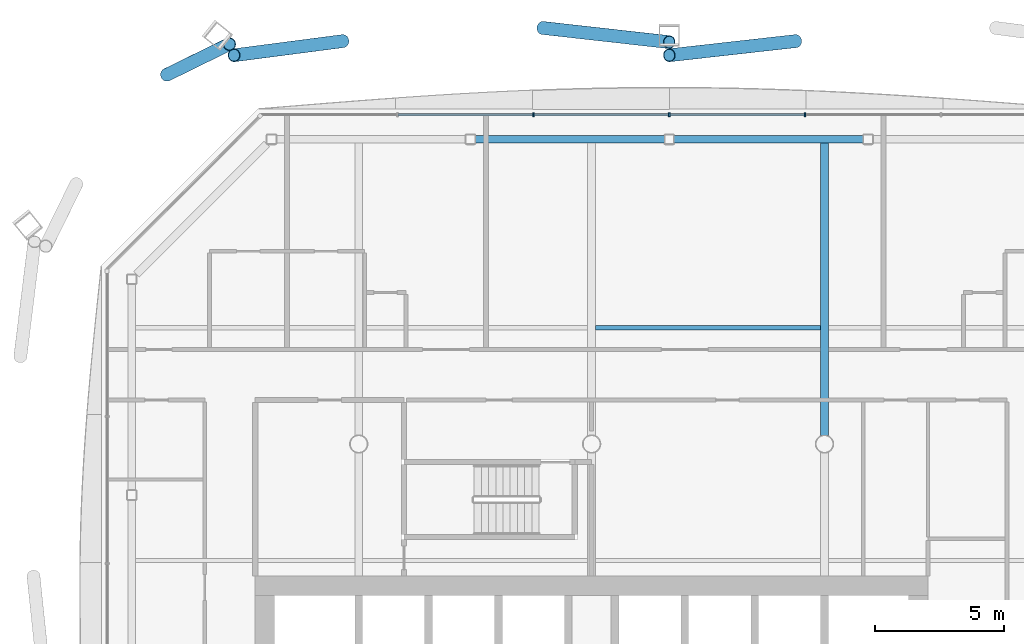
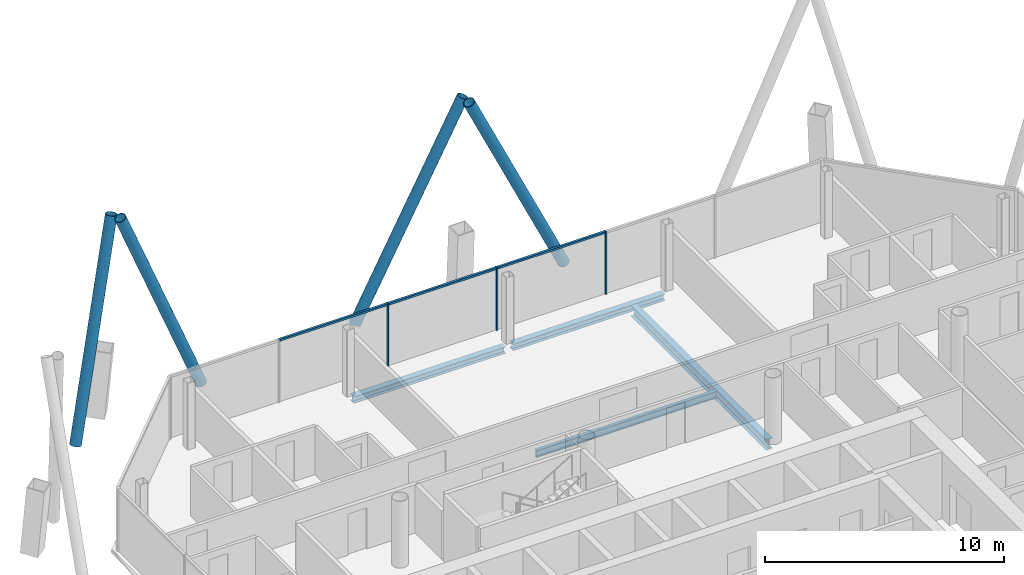
# One storey, part 11 of 20: 10 members, 4 beams, 1 element without a shape of its own.
"""IFC4 building model written with IfcOpenShell, lengths in metres."""

from ifc_helpers import new_model, si_unit, direction, frame, origin, origin_2d, place, context, subcontext, project, spatial, rectangle, hollow_circle, i_section, extrude, material, material_profile, profile_set, type_object, element, aggregate, save


model = new_model("IFC4")

# Units and contexts
model_context = context("Model", 3, precision=1e-05, world=origin(), true_north=direction((0.0, 1.0)))
body_context = subcontext(model_context, "Body", "Model", "MODEL_VIEW")
ifc_project = project(units=[si_unit("LENGTHUNIT", "METRE"), si_unit("AREAUNIT", "SQUARE_METRE"), si_unit("VOLUMEUNIT", "CUBIC_METRE"), si_unit("PLANEANGLEUNIT", "RADIAN"), si_unit("MASSUNIT", "GRAM", prefix="KILO")], contexts=[model_context])

# Site, building, storey
site_placement = place(None, origin())
site = spatial("IfcSite", under=ifc_project, at=site_placement, CompositionType="ELEMENT")
building_placement = place(site_placement, origin())
building = spatial("IfcBuilding", under=site, at=building_placement, Name="Tskaro Facet Tower", CompositionType="ELEMENT")
storey_placement = place(building_placement, frame((0.0, 0.0, 152.10009765625)))
storey = spatial("IfcBuildingStorey", under=building, at=storey_placement, Name="L37", CompositionType="ELEMENT", Elevation=152.10009765625)

# Members
ifc_material_1 = material(Name="Steel S355J2H", Category="steel")
ifc_material_profile_1 = material_profile(ifc_material_1, hollow_circle(Radius=0.25390625, WallThickness=0.02490234375, at=origin_2d()), Name="CHS 508x25")
ifc_profile_set_1 = profile_set([ifc_material_profile_1], Name="Steel S355J2H")
member_type_1 = type_object("IfcMemberType", Name="CHS 508x25 brace", PredefinedType="BRACE", material=ifc_profile_set_1)
member_1_placement = place(storey_placement, frame((7.884521484375, 24.56982421875, 0.0), z_axis=(-0.431401762637, -0.048386342548, 0.900861410567), x_axis=(0.111461838164, -0.993768714859, 0.0)))
element("IfcMember", 1, at=member_1_placement, inside=storey, type_object=member_type_1, Name="CHS 508x25 XB07A/3", PredefinedType="BRACE", context=body_context, shape_type="SweptSolid", body=[
    extrude(hollow_circle(Radius=0.25390625, WallThickness=0.02490234375, at=origin_2d()), origin(), (0.0, 0.0, 1.0), 11.322509765625),
])
member_2_placement = place(storey_placement, frame((-9.6142578125, 24.56982421875, 0.0), z_axis=(-0.380656934074, -0.049596130759, 0.923385359617), x_axis=(0.129198883209, -0.991618701204, 0.0)))
element("IfcMember", 2, at=member_2_placement, inside=storey, type_object=member_type_1, Name="CHS 508x25 XB08A/3", PredefinedType="BRACE", context=body_context, shape_type="SweptSolid", body=[
    extrude(hollow_circle(Radius=0.25390625, WallThickness=0.02490234375, at=origin_2d()), origin(), (0.0, 0.0, 1.0), 11.046142578125),
])
member_3_placement = place(storey_placement, frame((-1.884521484375, 25.07763671875, 0.0), z_axis=(0.431402212633, -0.048364830456, 0.900862350257), x_axis=(0.111412783806, 0.993774215607, 0.0)))
element("IfcMember", 3, at=member_3_placement, inside=storey, type_object=member_type_1, Name="CHS 508x25 XB08B/3", PredefinedType="BRACE", context=body_context, shape_type="SweptSolid", body=[
    extrude(hollow_circle(Radius=0.25390625, WallThickness=0.02490234375, at=origin_2d()), origin(), (0.0, 0.0, 1.0), 11.322509765625),
])
member_4_placement = place(storey_placement, frame((-16.41064453125, 23.27099609375, 0.0), z_axis=(0.228679127936, 0.112302745825, 0.967002559317), x_axis=(-0.440806291115, 0.897602258082, 0.0)))
element("IfcMember", 4, at=member_4_placement, inside=storey, type_object=member_type_1, Name="CHS 508x25 XB09B/3", PredefinedType="BRACE", context=body_context, shape_type="SweptSolid", body=[
    extrude(hollow_circle(Radius=0.25390625, WallThickness=0.02490234375, at=origin_2d()), origin(), (0.0, 0.0, 1.0), 10.548095703125),
])

# Curtain wall, members
ifc_material_2 = material(Name="Bronze anodised aluminium 6063-T6", Category="aluminium")
curtain_wall_type = type_object("IfcCurtainWallType", Name="Bronze hotel curtain wall (FW2)", PredefinedType="NOTDEFINED", material=ifc_material_2)
curtain_wall_placement = place(storey_placement, origin())
curtain_wall = element("IfcCurtainWall", 5, at=curtain_wall_placement, inside=storey, type_object=curtain_wall_type, Name="FW2 north facet L37", PredefinedType="NOTDEFINED")
ifc_material_profile_2 = material_profile(ifc_material_2, rectangle(XDim=0.06005859375, YDim=0.14990234375, at=origin_2d()), Name="Mullion 60x150")
ifc_profile_set_2 = profile_set([ifc_material_profile_2], Name="Bronze anodised aluminium 6063-T6")
member_type_2 = type_object("IfcMemberType", Name="FW2 bronze mullion 60x150", PredefinedType="MULLION", material=ifc_profile_set_2)
member_5_placement = place(storey_placement, frame((8.253662109375, 21.72412109375, 0.0), z_axis=(0.0, 0.0, 1.0), x_axis=(-1.0, 0.0, 0.0)))
member_5 = element("IfcMember", 6, at=member_5_placement, type_object=member_type_2, Name="FW2 north mullion 2", PredefinedType="MULLION", context=body_context, shape_type="SweptSolid", body=[
    extrude(rectangle(XDim=0.06005859375, YDim=0.14990234375, at=origin_2d()), origin(), (0.0, 0.0, 1.0), 3.199951171875),
])
member_6_placement = place(storey_placement, frame((3.0, 21.72412109375, 0.0), z_axis=(0.0, 0.0, 1.0), x_axis=(-1.0, 0.0, 0.0)))
member_6 = element("IfcMember", 7, at=member_6_placement, type_object=member_type_2, Name="FW2 north mullion 3", PredefinedType="MULLION", context=body_context, shape_type="SweptSolid", body=[
    extrude(rectangle(XDim=0.06005859375, YDim=0.14990234375, at=origin_2d()), origin(), (0.0, 0.0, 1.0), 3.199951171875),
])
member_7_placement = place(storey_placement, frame((-2.253662109375, 21.72412109375, 0.0), z_axis=(0.0, 0.0, 1.0), x_axis=(-1.0, 0.0, 0.0)))
member_7 = element("IfcMember", 8, at=member_7_placement, type_object=member_type_2, Name="FW2 north mullion 4", PredefinedType="MULLION", context=body_context, shape_type="SweptSolid", body=[
    extrude(rectangle(XDim=0.06005859375, YDim=0.14990234375, at=origin_2d()), origin(), (0.0, 0.0, 1.0), 3.199951171875),
])
ifc_material_profile_3 = material_profile(ifc_material_2, rectangle(XDim=0.110107421875, YDim=0.10009765625, at=origin_2d()), Name="Transom 110x100")
ifc_profile_set_3 = profile_set([ifc_material_profile_3], Name="Bronze anodised aluminium 6063-T6")
member_type_3 = type_object("IfcMemberType", Name="FW2 bronze transom 110x100", PredefinedType="USERDEFINED", material=ifc_profile_set_3)
member_8_placement = place(storey_placement, frame((8.2236328125, 21.72412109375, 3.14990234375), z_axis=(-1.0, 0.0, 0.0), x_axis=(0.0, -1.0, 0.0)))
member_8 = element("IfcMember", 9, at=member_8_placement, type_object=member_type_3, Name="FW2 north transom 3.1", ObjectType="TRANSOM", PredefinedType="USERDEFINED", context=body_context, shape_type="SweptSolid", body=[
    extrude(rectangle(XDim=0.110107421875, YDim=0.10009765625, at=origin_2d()), origin(), (0.0, 0.0, 1.0), 5.193603515625),
])
member_9_placement = place(storey_placement, frame((2.969970703125, 21.72412109375, 3.14990234375), z_axis=(-1.0, 0.0, 0.0), x_axis=(0.0, -1.0, 0.0)))
member_9 = element("IfcMember", 10, at=member_9_placement, type_object=member_type_3, Name="FW2 north transom 4.1", ObjectType="TRANSOM", PredefinedType="USERDEFINED", context=body_context, shape_type="SweptSolid", body=[
    extrude(rectangle(XDim=0.110107421875, YDim=0.10009765625, at=origin_2d()), origin(), (0.0, 0.0, 1.0), 5.193603515625),
])
member_10_placement = place(storey_placement, frame((-2.28369140625, 21.72412109375, 3.14990234375), z_axis=(-1.0, 0.0, 0.0), x_axis=(0.0, -1.0, 0.0)))
member_10 = element("IfcMember", 11, at=member_10_placement, type_object=member_type_3, Name="FW2 north transom 5.1", ObjectType="TRANSOM", PredefinedType="USERDEFINED", context=body_context, shape_type="SweptSolid", body=[
    extrude(rectangle(XDim=0.110107421875, YDim=0.10009765625, at=origin_2d()), origin(), (0.0, 0.0, 1.0), 5.193603515625),
])
aggregate(curtain_wall, [member_5, member_6, member_7, member_8, member_9, member_10])

# Beams
ifc_material_3 = material(Name="Steel S355J2", Category="steel")
ifc_material_profile_4 = material_profile(ifc_material_3, i_section(OverallWidth=0.300048828125, OverallDepth=0.340087890625, WebThickness=0.011962890625, FlangeThickness=0.021484375, FilletRadius=0.027099609375, at=origin_2d()), Name="HE 340 B")
ifc_profile_set_4 = profile_set([ifc_material_profile_4], Name="Steel S355J2")
beam_type_1 = type_object("IfcBeamType", Name="HE 340 B ring beam", PredefinedType="BEAM", material=ifc_profile_set_4)
for number, where, z_axis, x_axis, name in (
    (12, (10.50390625, 20.77392578125, -0.31005859375), (-1.0, 0.0, 0.0), (0.0, -1.0, 0.0), "HE 340 B EB12-3"),
    (13, (2.820068359375, 20.77392578125, -0.31005859375), (-1.0, 0.0, 0.0), (0.0, -1.0, 0.0), "HE 340 B EB13-3"),
):
    element("IfcBeam", number, at=place(storey_placement, frame(where, z_axis=z_axis, x_axis=x_axis)), inside=storey, type_object=beam_type_1, Name=name, PredefinedType="BEAM", context=body_context, shape_type="SweptSolid", body=[
        extrude(i_section(OverallWidth=0.300048828125, OverallDepth=0.340087890625, WebThickness=0.011962890625, FlangeThickness=0.021484375, FilletRadius=0.027099609375, at=origin_2d()), origin(), (0.0, 0.0, 1.0), 7.323974609375),
    ])
ifc_material_profile_5 = material_profile(ifc_material_3, i_section(OverallWidth=0.300048828125, OverallDepth=0.5400390625, WebThickness=0.012451171875, FlangeThickness=0.02392578125, FilletRadius=0.027099609375, at=origin_2d()), Name="HE 550 A")
ifc_profile_set_5 = profile_set([ifc_material_profile_5], Name="Steel S355J2")
beam_type_2 = type_object("IfcBeamType", Name="HE 550 A long girder", PredefinedType="BEAM", material=ifc_profile_set_5)
beam_1_placement = place(storey_placement, frame((9.0, 9.325439453125, -0.41015625), z_axis=(0.0, 1.0, 0.0), x_axis=(-1.0, 0.0, 0.0)))
element("IfcBeam", 14, at=beam_1_placement, inside=storey, type_object=beam_type_2, Name="HE 550 A LGB5-3-3", PredefinedType="BEAM", context=body_context, shape_type="SweptSolid", body=[
    extrude(i_section(OverallWidth=0.300048828125, OverallDepth=0.5400390625, WebThickness=0.012451171875, FlangeThickness=0.02392578125, FilletRadius=0.027099609375, at=origin_2d()), origin(), (0.0, 0.0, 1.0), 11.298583984375),
])
ifc_material_profile_6 = material_profile(ifc_material_3, i_section(OverallWidth=0.169921875, OverallDepth=0.360107421875, WebThickness=0.008056640625, FlangeThickness=0.0126953125, FilletRadius=0.01806640625, at=origin_2d()), Name="IPE 360")
ifc_profile_set_6 = profile_set([ifc_material_profile_6], Name="Steel S355J2")
beam_type_3 = type_object("IfcBeamType", Name="IPE 360 secondary beam", PredefinedType="BEAM", material=ifc_profile_set_6)
beam_2_placement = place(storey_placement, frame((0.14990234375, 13.5, -0.320068359375), z_axis=(1.0, 0.0, 0.0), x_axis=(0.0, 1.0, 0.0)))
element("IfcBeam", 15, at=beam_2_placement, inside=storey, type_object=beam_type_3, Name="IPE 360 SB5a-3-3", PredefinedType="BEAM", context=body_context, shape_type="SweptSolid", body=[
    extrude(i_section(OverallWidth=0.169921875, OverallDepth=0.360107421875, WebThickness=0.008056640625, FlangeThickness=0.0126953125, FilletRadius=0.01806640625, at=origin_2d()), origin(), (0.0, 0.0, 1.0), 8.7001953125),
])

save(model, "model.ifc")
